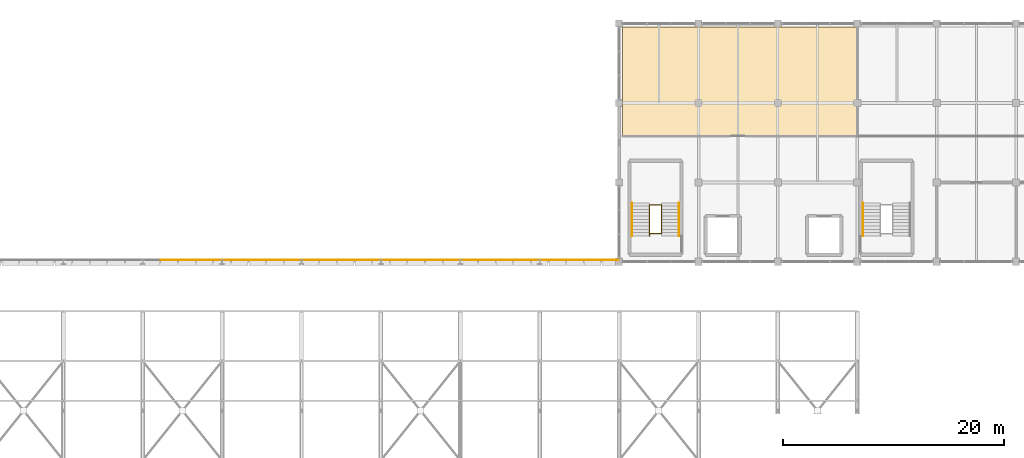
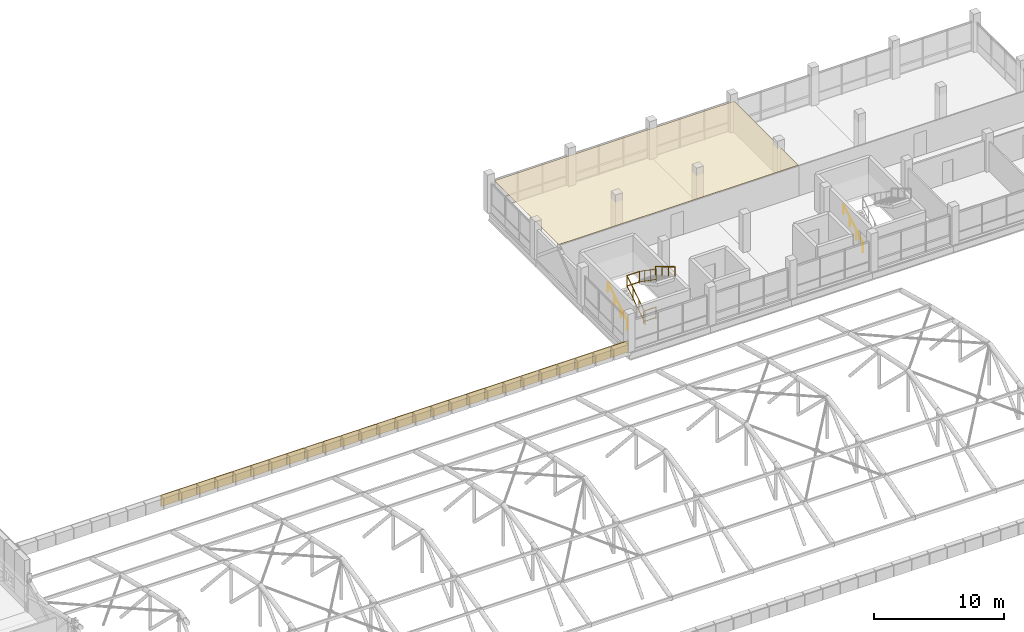
# One storey, part 89 of 96: 27 coverings, 7 railings.
"""IFC4 building model written with IfcOpenShell, lengths in metres."""

import ifcopenshell
import ifcopenshell.guid

model = None  # the IFC model being written
_history = None  # IfcOwnerHistory: only IFC2X3 demands one
_inside = {}  # id of a spatial element -> (the spatial element, [elements in it])
_under = {}  # id of a project, library or spatial element -> (it, [spatial elements below it])
_declared = {}  # id of a project -> (the project, [libraries it declares])
_typed = {}  # id of a type object -> (the type object, [elements of that type])
_made_of = {}  # id of a material, layer set ... -> (it, [elements and type objects made of it])


def new_model(schema):
    """Start an empty IFC model of exactly this schema.

    Asked for "IFC4X3", IfcOpenShell would pick the latest addendum, in which some entities
    have other attributes; the version numbers below select the first issue.
    IFC2X3 requires an IfcOwnerHistory on every rooted entity: one is made here for all.
    """
    global model, _history
    if schema == "IFC4X3":
        model = ifcopenshell.file(schema_version=(4, 3, 0, 0))
    else:
        model = ifcopenshell.file(schema=schema)
    _inside.clear()
    _under.clear()
    _declared.clear()
    _typed.clear()
    _made_of.clear()
    _history = None
    if model.schema == "IFC2X3":
        org = make("IfcOrganization", Name="unknown")
        user = make(
            "IfcPersonAndOrganization",
            ThePerson=make("IfcPerson", FamilyName="unknown"),
            TheOrganization=org,
        )
        app = make(
            "IfcApplication",
            ApplicationDeveloper=org,
            Version="unknown",
            ApplicationFullName="unknown",
            ApplicationIdentifier="unknown",
        )
        _history = make(
            "IfcOwnerHistory",
            OwningUser=user,
            OwningApplication=app,
            ChangeAction="ADDED",
            CreationDate=0,
        )
    return model


def make(cls, **values):
    """One entity of the class cls with the attributes given. An attribute that is None is left unset."""
    return model.create_entity(
        cls, **{name: value for name, value in values.items() if value is not None}
    )


def rooted(cls, **values):
    """An entity with a GlobalId (a new one), such as an element, a storey or a relation."""
    return make(cls, GlobalId=ifcopenshell.guid.new(), OwnerHistory=_history, **values)


def si_unit(unit_type, name, prefix=None):
    """IfcSIUnit, for example si_unit("LENGTHUNIT", "METRE", prefix="MILLI")."""
    return make("IfcSIUnit", UnitType=unit_type, Prefix=prefix, Name=name)


def assignment(units):
    """IfcUnitAssignment: the units of a project."""
    return None if units is None else make("IfcUnitAssignment", Units=units)


def point(xyz):
    """IfcCartesianPoint."""
    return None if xyz is None else make("IfcCartesianPoint", Coordinates=xyz)


def direction(xyz):
    """IfcDirection."""
    return None if xyz is None else make("IfcDirection", DirectionRatios=xyz)


def frame(location, z_axis=None, x_axis=None):
    """IfcAxis2Placement3D, a coordinate frame: its origin and axes. An axis left out is left unset."""
    return make(
        "IfcAxis2Placement3D",
        Location=point(location),
        Axis=direction(z_axis),
        RefDirection=direction(x_axis),
    )


def frame_2d(location, x_axis=None):
    """IfcAxis2Placement2D, a coordinate frame in the plane: its origin and x axis."""
    return make(
        "IfcAxis2Placement2D", Location=point(location), RefDirection=direction(x_axis)
    )


def origin():
    """The frame at (0, 0, 0) with its axes left unset."""
    return frame((0.0, 0.0, 0.0))


def origin_2d():
    """The frame at (0, 0) in the plane with its x axis left unset."""
    return frame_2d((0.0, 0.0))


def place(relative_to, where):
    """IfcLocalPlacement: puts the frame where relative to a parent placement (None: the world)."""
    return make(
        "IfcLocalPlacement", PlacementRelTo=relative_to, RelativePlacement=where
    )


def context(
    kind, dimensions, precision=None, world=None, true_north=None, identifier=None
):
    """IfcGeometricRepresentationContext, for example the 3D "Model" context."""
    return make(
        "IfcGeometricRepresentationContext",
        ContextIdentifier=identifier,
        ContextType=kind,
        CoordinateSpaceDimension=dimensions,
        Precision=precision,
        WorldCoordinateSystem=world,
        TrueNorth=true_north,
    )


def subcontext(parent, identifier, kind, view, scale=None):
    """IfcGeometricRepresentationSubContext, for example "Body" below "Model"."""
    return make(
        "IfcGeometricRepresentationSubContext",
        ContextIdentifier=identifier,
        ContextType=kind,
        ParentContext=parent,
        TargetScale=scale,
        TargetView=view,
    )


def project(units=None, contexts=None):
    """IfcProject with its units and contexts."""
    return rooted(
        "IfcProject",
        Name="project",
        RepresentationContexts=contexts,
        UnitsInContext=assignment(units),
    )


def spatial(cls, under=None, at=None, **own):
    """A site, building, storey or space (cls), placed at a placement, below another one or the project."""
    s = rooted(cls, ObjectPlacement=at, **own)
    if under is not None:
        _under.setdefault(under.id(), (under, []))[1].append(s)
    return s


def polyline(points):
    """IfcPolyline through the points."""
    return make("IfcPolyline", Points=[point(p) for p in points])


def profile(cls, at=None, kind="AREA", **sizes):
    """A parametric profile (cls). Its sizes go by their IFC names, for example OverallWidth=200.0."""
    return make(cls, ProfileType=kind, Position=at, **sizes)


def rectangle(**sizes):
    """IfcRectangleProfileDef."""
    return profile("IfcRectangleProfileDef", **sizes)


def circle(**sizes):
    """IfcCircleProfileDef."""
    return profile("IfcCircleProfileDef", **sizes)


def outline(outer, holes=None, kind="AREA"):
    """IfcArbitraryClosedProfileDef: a profile drawn as a closed curve; with holes, ...WithVoids."""
    if holes is None:
        return make("IfcArbitraryClosedProfileDef", ProfileType=kind, OuterCurve=outer)
    return make(
        "IfcArbitraryProfileDefWithVoids",
        ProfileType=kind,
        OuterCurve=outer,
        InnerCurves=holes,
    )


def extrude(swept, where, along, depth):
    """IfcExtrudedAreaSolid: the profile swept, set in the frame where, extruded along a direction by depth."""
    return make(
        "IfcExtrudedAreaSolid",
        SweptArea=swept,
        Position=where,
        ExtrudedDirection=direction(along),
        Depth=depth,
    )


def shape(context_of_items, identifier, shape_type, items):
    """IfcShapeRepresentation: the items that make up one representation, for example the "Body"."""
    return make(
        "IfcShapeRepresentation",
        ContextOfItems=context_of_items,
        RepresentationIdentifier=identifier,
        RepresentationType=shape_type,
        Items=items,
    )


def material(Name=None, Category=None):
    """IfcMaterial."""
    return make("IfcMaterial", Name=Name, Category=Category)


def layer(
    of_material, thickness, ventilated=None, Name=None, Category=None, Priority=None
):
    """IfcMaterialLayer: one layer of a wall or slab, of a material (None: an air gap)."""
    return make(
        "IfcMaterialLayer",
        Material=of_material,
        LayerThickness=thickness,
        IsVentilated=ventilated,
        Name=Name,
        Category=Category,
        Priority=Priority,
    )


def layer_set(layers, Name=None):
    """IfcMaterialLayerSet."""
    return make("IfcMaterialLayerSet", MaterialLayers=layers, LayerSetName=Name)


def made_of(thing, what):
    """Note that an element or type object is made of a material, layer set ...; save() writes the relation."""
    if what is not None:
        _made_of.setdefault(what.id(), (what, []))[1].append(thing)
    return thing


def type_object(cls, material=None, **own):
    """A type object (cls), such as IfcWallType, which elements share."""
    return made_of(rooted(cls, **own), material)


def element(
    cls,
    number,
    at=None,
    inside=None,
    cuts=None,
    type_object=None,
    material=None,
    context=None,
    identifier="Body",
    shape_type=None,
    held_by="IfcProductDefinitionShape",
    body=None,
    shapes=None,
    **own,
):
    """One element of the class cls, such as IfcWall. Its Tag is "e" and its number.

    at: its placement. inside: the storey or other place that contains it. cuts: it is an
    opening in that element (IfcRelVoidsElement). A single representation is given by context,
    identifier, shape_type and body (its items); several are given by shapes. held_by: the class
    of the entity that holds the representations. save() writes the other relations.
    """
    e = rooted(cls, Tag="e%d" % number, ObjectPlacement=at, **own)
    if body is not None:
        shapes = [shape(context, identifier, shape_type, body)]
    if shapes is not None:
        e.Representation = make(held_by, Representations=shapes)
    if inside is not None:
        _inside.setdefault(inside.id(), (inside, []))[1].append(e)
    if cuts is not None:
        rooted(
            "IfcRelVoidsElement", RelatingBuildingElement=cuts, RelatedOpeningElement=e
        )
    if type_object is not None:
        _typed.setdefault(type_object.id(), (type_object, []))[1].append(e)
    return made_of(e, material)


def aggregate(whole, parts):
    """IfcRelAggregates: a whole, such as a stair, and the parts it consists of."""
    return rooted("IfcRelAggregates", RelatingObject=whole, RelatedObjects=parts)


def save(model, path):
    """Write the relations noted so far, then the file.

    IfcRelAggregates (storeys below a building ...), IfcRelContainedInSpatialStructure (elements
    in a storey), IfcRelDefinesByType, IfcRelAssociatesMaterial and IfcRelDeclares: one each for
    every whole, place, type object, material and project.
    """
    for whole, parts in _under.values():
        aggregate(whole, parts)
    for where, things in _inside.values():
        rooted(
            "IfcRelContainedInSpatialStructure",
            RelatedElements=things,
            RelatingStructure=where,
        )
    for kind, things in _typed.values():
        rooted("IfcRelDefinesByType", RelatedObjects=things, RelatingType=kind)
    for what, things in _made_of.values():
        rooted("IfcRelAssociatesMaterial", RelatedObjects=things, RelatingMaterial=what)
    for by, libraries in _declared.values():
        rooted("IfcRelDeclares", RelatingContext=by, RelatedDefinitions=libraries)
    model.write(path)


model = new_model("IFC4")

# Units and contexts
model_context = context("Model", 3, precision=1e-05, world=origin(), true_north=direction((0.0, 1.0)))
body_context = subcontext(model_context, "Body", "Model", "MODEL_VIEW")
ifc_project = project(units=[si_unit("LENGTHUNIT", "METRE"), si_unit("AREAUNIT", "SQUARE_METRE"), si_unit("VOLUMEUNIT", "CUBIC_METRE"), si_unit("PLANEANGLEUNIT", "RADIAN"), si_unit("MASSUNIT", "GRAM", prefix="KILO")], contexts=[model_context])

# Site, building, storey
site_placement = place(None, origin())
site = spatial("IfcSite", under=ifc_project, at=site_placement, CompositionType="ELEMENT")
building_placement = place(site_placement, origin())
building = spatial("IfcBuilding", under=site, at=building_placement, Name="Yarey Park Central Fire Station", CompositionType="ELEMENT")
storey_placement = place(building_placement, frame((0.0, 0.0, 14.39990234375)))
storey = spatial("IfcBuildingStorey", under=building, at=storey_placement, Name="L04", CompositionType="ELEMENT", Elevation=14.39990234375)

# Coverings
ifc_material_1 = material(Name="Perforated Powder-Coated Aluminium Cladding", Category="aluminium")
ifc_layer_1 = layer(ifc_material_1, 0.0419921875)
ifc_layer_set_1 = layer_set([ifc_layer_1], Name="Perforated Powder-Coated Aluminium Cladding")
covering_type_1 = type_object("IfcCoveringType", Name="ENV_COV_PERF_1", PredefinedType="CLADDING", material=ifc_layer_set_1)
for number, where, z_axis, x_axis, name in (
    (1, (74.39990234375, 93.760009765625, -0.28515625), (0.0, 0.0, 1.0), (1.0, 0.0, 0.0), "PERF_L04_1608"),
    (2, (77.60009765625, 93.760009765625, -0.28515625), (0.0, 0.0, 1.0), (1.0, 0.0, 0.0), "PERF_L04_1618"),
    (3, (80.800048828125, 93.760009765625, -0.28515625), (0.0, 0.0, 1.0), (1.0, 0.0, 0.0), "PERF_L04_1626"),
    (4, (84.0, 93.760009765625, -0.28515625), (0.0, 0.0, 1.0), (1.0, 0.0, 0.0), "PERF_L04_1636"),
    (5, (87.199951171875, 93.760009765625, -0.28515625), (0.0, 0.0, 1.0), (1.0, 0.0, 0.0), "PERF_L04_1642"),
    (6, (90.39990234375, 93.760009765625, -0.28515625), (0.0, 0.0, 1.0), (1.0, 0.0, 0.0), "PERF_L04_1651"),
    (7, (93.60009765625, 93.760009765625, -0.28515625), (0.0, 0.0, 1.0), (1.0, 0.0, 0.0), "PERF_L04_1659"),
    (8, (96.800048828125, 93.760009765625, -0.28515625), (0.0, 0.0, 1.0), (1.0, 0.0, 0.0), "PERF_L04_1667"),
    (9, (100.0, 93.760009765625, -0.28515625), (0.0, 0.0, 1.0), (1.0, 0.0, 0.0), "PERF_L04_1676"),
    (10, (103.199951171875, 93.760009765625, -0.28515625), (0.0, 0.0, 1.0), (1.0, 0.0, 0.0), "PERF_L04_1682"),
    (11, (106.39990234375, 93.760009765625, -0.28515625), (0.0, 0.0, 1.0), (1.0, 0.0, 0.0), "PERF_L04_1692"),
    (12, (109.60009765625, 93.760009765625, -0.28515625), (0.0, 0.0, 1.0), (1.0, 0.0, 0.0), "PERF_L04_1700"),
    (13, (112.800048828125, 93.760009765625, -0.28515625), (0.0, 0.0, 1.0), (1.0, 0.0, 0.0), "PERF_L04_1710"),
):
    element("IfcCovering", number, at=place(storey_placement, frame(where, z_axis=z_axis, x_axis=x_axis)), inside=storey, type_object=covering_type_1, Name=name, PredefinedType="CLADDING", context=body_context, shape_type="SweptSolid", body=[
        extrude(rectangle(XDim=1.56005859375, YDim=0.0419921875, at=origin_2d()), origin(), (0.0, 0.0, 1.0), 1.070068359375),
    ])
ifc_layer_2 = layer(ifc_material_1, 0.053955078125)
ifc_layer_set_2 = layer_set([ifc_layer_2], Name="Perforated Powder-Coated Aluminium Cladding")
covering_type_2 = type_object("IfcCoveringType", Name="ENV_COV_PERF_2", PredefinedType="CLADDING", material=ifc_layer_set_2)
for number, where, z_axis, x_axis, name in (
    (14, (76.0, 93.760009765625, -0.28515625), (0.0, 0.0, 1.0), (1.0, 0.0, 0.0), "PERF_L04_1614"),
    (15, (79.199951171875, 93.760009765625, -0.28515625), (0.0, 0.0, 1.0), (1.0, 0.0, 0.0), "PERF_L04_1622"),
    (16, (82.39990234375, 93.760009765625, -0.28515625), (0.0, 0.0, 1.0), (1.0, 0.0, 0.0), "PERF_L04_1630"),
    (17, (85.60009765625, 93.760009765625, -0.28515625), (0.0, 0.0, 1.0), (1.0, 0.0, 0.0), "PERF_L04_1639"),
    (18, (88.800048828125, 93.760009765625, -0.28515625), (0.0, 0.0, 1.0), (1.0, 0.0, 0.0), "PERF_L04_1645"),
    (19, (92.0, 93.760009765625, -0.28515625), (0.0, 0.0, 1.0), (1.0, 0.0, 0.0), "PERF_L04_1655"),
    (20, (95.199951171875, 93.760009765625, -0.28515625), (0.0, 0.0, 1.0), (1.0, 0.0, 0.0), "PERF_L04_1663"),
    (21, (98.39990234375, 93.760009765625, -0.28515625), (0.0, 0.0, 1.0), (1.0, 0.0, 0.0), "PERF_L04_1673"),
    (22, (101.60009765625, 93.760009765625, -0.28515625), (0.0, 0.0, 1.0), (1.0, 0.0, 0.0), "PERF_L04_1679"),
    (23, (104.800048828125, 93.760009765625, -0.28515625), (0.0, 0.0, 1.0), (1.0, 0.0, 0.0), "PERF_L04_1688"),
    (24, (108.0, 93.760009765625, -0.28515625), (0.0, 0.0, 1.0), (1.0, 0.0, 0.0), "PERF_L04_1696"),
    (25, (111.199951171875, 93.760009765625, -0.28515625), (0.0, 0.0, 1.0), (1.0, 0.0, 0.0), "PERF_L04_1704"),
    (26, (114.39990234375, 93.760009765625, -0.28515625), (0.0, 0.0, 1.0), (1.0, 0.0, 0.0), "PERF_L04_1713"),
):
    element("IfcCovering", number, at=place(storey_placement, frame(where, z_axis=z_axis, x_axis=x_axis)), inside=storey, type_object=covering_type_2, Name=name, PredefinedType="CLADDING", context=body_context, shape_type="SweptSolid", body=[
        extrude(rectangle(XDim=1.56005859375, YDim=0.053955078125, at=origin_2d()), origin(), (0.0, 0.0, 1.0), 1.070068359375),
    ])
ifc_material_2 = material(Name="Acoustic Mineral Fibre Tile", Category="finish")
ifc_layer_3 = layer(ifc_material_2, 0.031982421875)
ifc_layer_set_3 = layer_set([ifc_layer_3], Name="Acoustic Mineral Fibre Tile")
covering_type_3 = type_object("IfcCoveringType", Name="INT_CEIL_ACT_2", PredefinedType="CEILING", material=ifc_layer_set_3)
covering_placement = place(storey_placement, frame((0.0, 0.0, 2.85009765625)))
element("IfcCovering", 27, at=covering_placement, inside=storey, type_object=covering_type_3, Name="CEIL_SPC_L04_ENG1", PredefinedType="CEILING", context=body_context, shape_type="SweptSolid", body=[
    extrude(outline(polyline([(115.489990234375, 104.989990234375), (136.81005859375, 104.989990234375), (136.81005859375, 114.909912109375), (115.489990234375, 114.909912109375), (115.489990234375, 104.989990234375)])), origin(), (0.0, 0.0, 1.0), 0.031982421875),
])

# Railings
ifc_material_3 = material(Name="Galvanized Steel Balustrade", Category="steel")
railing_type_1 = type_object("IfcRailingType", Name="INT_RAIL_GUARD112", PredefinedType="BALUSTRADE", material=ifc_material_3)
railing_1_placement = place(storey_placement, frame((117.949951171875, 95.949951171875, 0.0)))
element("IfcRailing", 28, at=railing_1_placement, inside=storey, type_object=railing_type_1, Name="GRD_C1_L04_F1", PredefinedType="BALUSTRADE", context=body_context, shape_type="SweptSolid", body=[
    extrude(circle(Radius=0.02392578125, at=origin_2d()), frame((0.0, 0.0, 1.09619140625), z_axis=(0.0, 0.841176092368, 0.540761298198), x_axis=(-1.0, 0.0, 0.0)), (0.0, 0.0, 1.0), 3.32861328125),
    extrude(circle(Radius=0.02392578125, at=origin_2d()), frame((0.0, 0.0, 0.1201171875), z_axis=(0.0, 0.841176092368, 0.540761298198), x_axis=(-1.0, 0.0, 0.0)), (0.0, 0.0, 1.0), 3.32861328125),
    extrude(circle(Radius=0.02099609375, at=origin_2d()), origin(), (0.0, 0.0, 1.0), 1.072021484375),
    extrude(circle(Radius=0.02099609375, at=origin_2d()), frame((0.0, 0.933349609375, 0.60009765625)), (0.0, 0.0, 1.0), 1.072021484375),
    extrude(circle(Radius=0.02099609375, at=origin_2d()), frame((0.0, 1.86669921875, 1.199951171875)), (0.0, 0.0, 1.0), 1.072021484375),
    extrude(circle(Radius=0.02099609375, at=origin_2d()), frame((0.0, 2.800048828125, 1.800048828125)), (0.0, 0.0, 1.0), 1.072021484375),
])
railing_2_placement = place(storey_placement, frame((119.050048828125, 98.75, 1.800048828125)))
element("IfcRailing", 29, at=railing_2_placement, inside=storey, type_object=railing_type_1, Name="GRD_C1_L04_F2", PredefinedType="BALUSTRADE", context=body_context, shape_type="SweptSolid", body=[
    extrude(circle(Radius=0.02392578125, at=origin_2d()), frame((0.0, 0.0, 1.09619140625), z_axis=(0.0, -0.822194970885, 0.56920596435), x_axis=(1.0, 0.0, 0.0)), (0.0, 0.0, 1.0), 3.162353515625),
    extrude(circle(Radius=0.02392578125, at=origin_2d()), frame((0.0, 0.0, 0.1201171875), z_axis=(0.0, -0.822194970885, 0.56920596435), x_axis=(1.0, 0.0, 0.0)), (0.0, 0.0, 1.0), 3.162353515625),
    extrude(circle(Radius=0.02099609375, at=origin_2d()), origin(), (0.0, 0.0, 1.0), 1.072021484375),
    extrude(circle(Radius=0.02099609375, at=origin_2d()), frame((0.0, -0.86669921875, 0.60009765625)), (0.0, 0.0, 1.0), 1.072021484375),
    extrude(circle(Radius=0.02099609375, at=origin_2d()), frame((0.0, -1.7333984375, 1.199951171875)), (0.0, 0.0, 1.0), 1.072021484375),
    extrude(circle(Radius=0.02099609375, at=origin_2d()), frame((0.0, -2.60009765625, 1.800048828125)), (0.0, 0.0, 1.0), 1.072021484375),
])
for number, where, name in (
    (30, (117.949951171875, 98.72998046875, 1.800048828125), "GRD_C1_L04_SLOT_MID"),
    (31, (117.949951171875, 96.179931640625, 0.0), "GRD_C1_L04_SLOT_BOT"),
):
    element("IfcRailing", number, at=place(storey_placement, frame(where)), inside=storey, type_object=railing_type_1, Name=name, PredefinedType="BALUSTRADE", context=body_context, shape_type="SweptSolid", body=[
        extrude(circle(Radius=0.02392578125, at=origin_2d()), frame((0.0, 0.0, 1.09619140625), z_axis=(1.0, 0.0, 0.0), x_axis=(0.0, 1.0, 0.0)), (0.0, 0.0, 1.0), 1.10009765625),
        extrude(circle(Radius=0.02392578125, at=origin_2d()), frame((0.0, 0.0, 0.1201171875), z_axis=(1.0, 0.0, 0.0), x_axis=(0.0, 1.0, 0.0)), (0.0, 0.0, 1.0), 1.10009765625),
        extrude(circle(Radius=0.02099609375, at=origin_2d()), origin(), (0.0, 0.0, 1.0), 1.072021484375),
        extrude(circle(Radius=0.02099609375, at=origin_2d()), frame((1.10009765625, 0.0, 0.0)), (0.0, 0.0, 1.0), 1.072021484375),
    ])
ifc_material_4 = material(Name="Stainless Steel AISI 316L", Category="steel")
railing_type_2 = type_object("IfcRailingType", Name="INT_RAIL_HAND090", PredefinedType="HANDRAIL", material=ifc_material_4)
railing_3_placement = place(storey_placement, frame((116.3798828125, 95.949951171875, 0.0)))
element("IfcRailing", 32, at=railing_3_placement, inside=storey, type_object=railing_type_2, Name="HR_C1_L04_F1", PredefinedType="HANDRAIL", context=body_context, shape_type="SweptSolid", body=[
    extrude(circle(Radius=0.02392578125, at=origin_2d()), frame((0.0, 0.0, 0.8759765625), z_axis=(0.0, 0.857486768376, 0.514506017516), x_axis=(-1.0, 0.0, 0.0)), (0.0, 0.0, 1.0), 3.49853515625),
    extrude(circle(Radius=0.02099609375, at=origin_2d()), origin(), (0.0, 0.0, 1.0), 0.851806640625),
    extrude(circle(Radius=0.02099609375, at=origin_2d()), frame((0.0, 1.0, 0.60009765625)), (0.0, 0.0, 1.0), 0.851806640625),
    extrude(circle(Radius=0.02099609375, at=origin_2d()), frame((0.0, 2.0, 1.199951171875)), (0.0, 0.0, 1.0), 0.851806640625),
    extrude(circle(Radius=0.02099609375, at=origin_2d()), frame((0.0, 3.0, 1.800048828125)), (0.0, 0.0, 1.0), 0.851806640625),
])
railing_4_placement = place(storey_placement, frame((120.6201171875, 98.949951171875, 1.800048828125)))
element("IfcRailing", 33, at=railing_4_placement, inside=storey, type_object=railing_type_2, Name="HR_C1_L04_F2", PredefinedType="HANDRAIL", context=body_context, shape_type="SweptSolid", body=[
    extrude(circle(Radius=0.02392578125, at=origin_2d()), frame((0.0, 0.0, 0.8759765625), z_axis=(0.0, -0.857486768376, 0.514506017516), x_axis=(1.0, 0.0, 0.0)), (0.0, 0.0, 1.0), 3.49853515625),
    extrude(circle(Radius=0.02099609375, at=origin_2d()), origin(), (0.0, 0.0, 1.0), 0.851806640625),
    extrude(circle(Radius=0.02099609375, at=origin_2d()), frame((0.0, -1.0, 0.60009765625)), (0.0, 0.0, 1.0), 0.851806640625),
    extrude(circle(Radius=0.02099609375, at=origin_2d()), frame((0.0, -2.0, 1.199951171875)), (0.0, 0.0, 1.0), 0.851806640625),
    extrude(circle(Radius=0.02099609375, at=origin_2d()), frame((0.0, -3.0, 1.800048828125)), (0.0, 0.0, 1.0), 0.851806640625),
])
railing_5_placement = place(storey_placement, frame((137.330078125, 95.949951171875, 0.0)))
element("IfcRailing", 34, at=railing_5_placement, inside=storey, type_object=railing_type_2, Name="HR_C2_L04_F1", PredefinedType="HANDRAIL", context=body_context, shape_type="SweptSolid", body=[
    extrude(circle(Radius=0.02392578125, at=origin_2d()), frame((0.0, 0.0, 0.8759765625), z_axis=(0.0, 0.857486768376, 0.514506017516), x_axis=(-1.0, 0.0, 0.0)), (0.0, 0.0, 1.0), 3.49853515625),
    extrude(circle(Radius=0.02099609375, at=origin_2d()), origin(), (0.0, 0.0, 1.0), 0.851806640625),
    extrude(circle(Radius=0.02099609375, at=origin_2d()), frame((0.0, 1.0, 0.60009765625)), (0.0, 0.0, 1.0), 0.851806640625),
    extrude(circle(Radius=0.02099609375, at=origin_2d()), frame((0.0, 2.0, 1.199951171875)), (0.0, 0.0, 1.0), 0.851806640625),
    extrude(circle(Radius=0.02099609375, at=origin_2d()), frame((0.0, 3.0, 1.800048828125)), (0.0, 0.0, 1.0), 0.851806640625),
])

save(model, "model.ifc")
